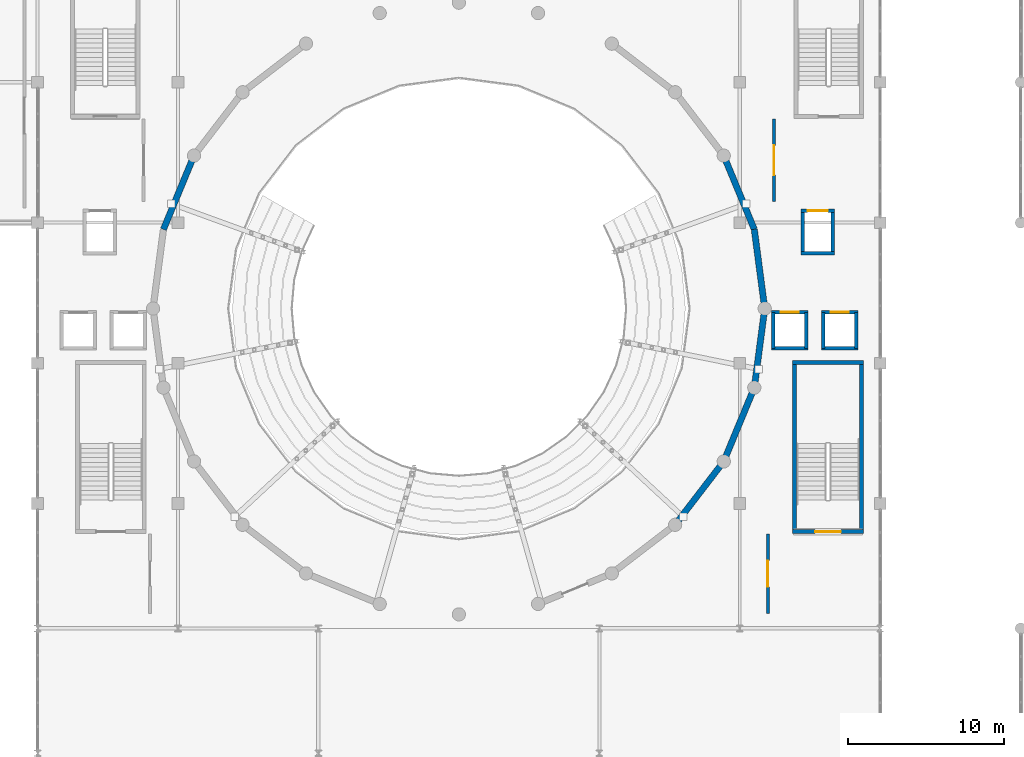
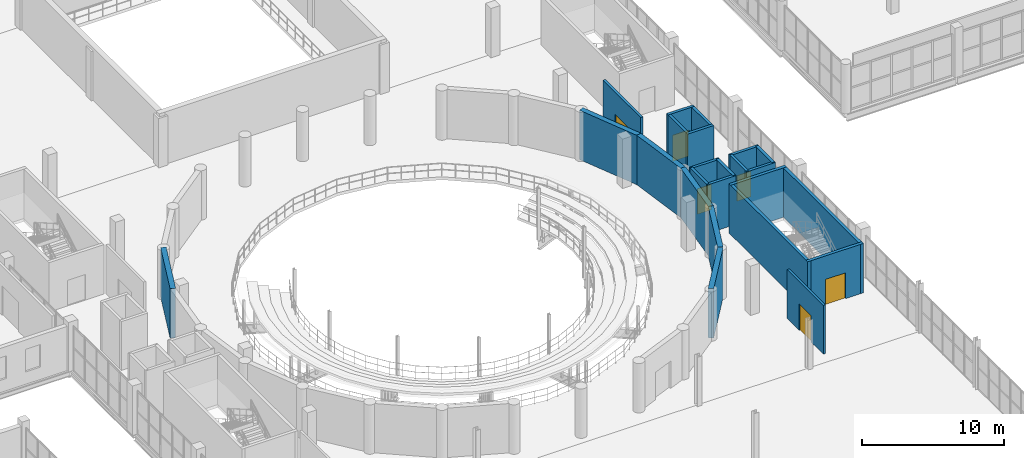
# One storey, part 65 of 85: 24 walls, 6 doors, 6 openings.
"""IFC4 building model written with IfcOpenShell, lengths in metres."""

from ifc_helpers import new_model, si_unit, direction, frame, frame_2d, origin, place, context, subcontext, project, spatial, rectangle, extrude, material, layer, layer_set, type_object, element, fill, save


model = new_model("IFC4")

# Units and contexts
model_context = context("Model", 3, precision=1e-05, world=origin(), true_north=direction((0.0, 1.0)))
body_context = subcontext(model_context, "Body", "Model", "MODEL_VIEW")
ifc_project = project(units=[si_unit("LENGTHUNIT", "METRE"), si_unit("AREAUNIT", "SQUARE_METRE"), si_unit("VOLUMEUNIT", "CUBIC_METRE"), si_unit("PLANEANGLEUNIT", "RADIAN"), si_unit("MASSUNIT", "GRAM", prefix="KILO")], contexts=[model_context])

# Site, building, storey
site_placement = place(None, origin())
site = spatial("IfcSite", under=ifc_project, at=site_placement, CompositionType="ELEMENT")
building_placement = place(site_placement, origin())
building = spatial("IfcBuilding", under=site, at=building_placement, Name="Marnock Terrace Opera House", CompositionType="ELEMENT")
storey_placement = place(building_placement, frame((0.0, 0.0, 10.199951171875)))
storey = spatial("IfcBuildingStorey", under=building, at=storey_placement, Name="L02", CompositionType="ELEMENT", Elevation=10.199951171875)

# Wall, opening, door
ifc_material_1 = material(Name="Rendered acoustic concrete blockwork", Category="masonry")
ifc_layer_1 = layer(ifc_material_1, 0.18505859375)
ifc_layer_set_1 = layer_set([ifc_layer_1], Name="Rendered acoustic concrete blockwork")
wall_type_1 = type_object("IfcWallType", Name="IW-FIRE-185", PredefinedType="PARTITIONING", material=ifc_layer_set_1)
wall_1_placement = place(storey_placement, frame((101.800048828125, 40.949951171875, 0.0), z_axis=(0.0, 0.0, 1.0), x_axis=(0.0, 1.0, 0.0)))
wall_1 = element("IfcWall", 1, at=wall_1_placement, inside=storey, type_object=wall_type_1, Name="L02 C2 fire-rated lift and stair lobby wall", PredefinedType="PARTITIONING", context=body_context, shape_type="SweptSolid", body=[
    extrude(rectangle(XDim=5.10009765625, YDim=0.18505859375, at=frame_2d((2.550048828125, 0.0))), origin(), (0.0, 0.0, 1.0), 4.18994140625),
])
opening_1_placement = place(wall_1_placement, frame((1.7099609375, 0.0, 0.0)))
opening_1 = element("IfcOpeningElement", 2, at=opening_1_placement, cuts=wall_1, Name="Opening FD-C2-L02", PredefinedType="OPENING", context=body_context, shape_type="SweptSolid", body=[
    extrude(rectangle(XDim=1.679931640625, YDim=2.25, at=frame_2d((0.83984375, 1.125))), frame((0.0, 0.1025390625, 0.0), z_axis=(0.0, -1.0, 0.0), x_axis=(1.0, 0.0, 0.0)), (0.0, 0.0, 1.0), 0.205078125),
])
ifc_material_2 = material(Name="Fire-rated acoustic timber-core door assembly", Category="wood")
door_type_1 = type_object("IfcDoorType", Name="DT-LOBBY-1680", OperationType="NOTDEFINED", PredefinedType="DOOR", material=ifc_material_2)
door_1_placement = place(opening_1_placement, origin())
door_1 = element("IfcDoor", 3, at=door_1_placement, inside=storey, type_object=door_type_1, Name="L02 C2 lobby self-closing smoke door", OperationType="SINGLE_SWING_RIGHT", OverallHeight=2.25, OverallWidth=1.679931640625, PredefinedType="DOOR", context=body_context, shape_type="SweptSolid", body=[
    extrude(rectangle(XDim=1.679931640625, YDim=2.25, at=frame_2d((0.83984375, 1.125))), frame((0.0, 0.02490234375, 0.0), z_axis=(0.0, -1.0, 0.0), x_axis=(1.0, 0.0, 0.0)), (0.0, 0.0, 1.0), 0.050048828125),
])
fill(opening_1, door_1)

ifc_layer_2 = layer(ifc_material_1, 0.195068359375)
ifc_layer_set_2 = layer_set([ifc_layer_2], Name="Rendered acoustic concrete blockwork")
wall_type_2 = type_object("IfcWallType", Name="IW-FIRE-195", PredefinedType="PARTITIONING", material=ifc_layer_set_2)
wall_2_placement = place(storey_placement, frame((102.199951171875, 67.35009765625, 0.0), z_axis=(0.0, 0.0, 1.0), x_axis=(0.0, 1.0, 0.0)))
wall_2 = element("IfcWall", 4, at=wall_2_placement, inside=storey, type_object=wall_type_2, Name="L02 C4 fire-rated lift and stair lobby wall", PredefinedType="PARTITIONING", context=body_context, shape_type="SweptSolid", body=[
    extrude(rectangle(XDim=5.2998046875, YDim=0.195068359375, at=frame_2d((2.64990234375, 0.0))), origin(), (0.0, 0.0, 1.0), 4.18994140625),
])
opening_2_placement = place(wall_2_placement, frame((1.699951171875, 0.0, 0.0)))
opening_2 = element("IfcOpeningElement", 5, at=opening_2_placement, cuts=wall_2, Name="Opening FD-C4-L02", PredefinedType="OPENING", context=body_context, shape_type="SweptSolid", body=[
    extrude(rectangle(XDim=1.89990234375, YDim=2.300048828125, at=frame_2d((0.949951171875, 1.14990234375))), frame((0.0, 0.107421875, 0.0), z_axis=(0.0, -1.0, 0.0), x_axis=(1.0, 0.0, 0.0)), (0.0, 0.0, 1.0), 0.215087890625),
])
door_type_2 = type_object("IfcDoorType", Name="DT-LOBBY-1900", OperationType="NOTDEFINED", PredefinedType="DOOR", material=ifc_material_2)
door_2_placement = place(opening_2_placement, origin())
door_2 = element("IfcDoor", 6, at=door_2_placement, inside=storey, type_object=door_type_2, Name="L02 C4 lobby self-closing smoke door", OperationType="SINGLE_SWING_RIGHT", OverallHeight=2.300048828125, OverallWidth=1.89990234375, PredefinedType="DOOR", context=body_context, shape_type="SweptSolid", body=[
    extrude(rectangle(XDim=1.89990234375, YDim=2.300048828125, at=frame_2d((0.949951171875, 1.14990234375))), frame((0.0, 0.02490234375, 0.0), z_axis=(0.0, -1.0, 0.0), x_axis=(1.0, 0.0, 0.0)), (0.0, 0.0, 1.0), 0.050048828125),
])
fill(opening_2, door_2)

ifc_layer_3 = layer(ifc_material_1, 0.22509765625)
ifc_layer_set_3 = layer_set([ifc_layer_3], Name="Rendered acoustic concrete blockwork")
wall_type_3 = type_object("IfcWallType", Name="IW-SHAFT-225", PredefinedType="SOLIDWALL", material=ifc_layer_set_3)
wall_3_placement = place(storey_placement, frame((102.027587890625, 60.260009765625, 0.0), z_axis=(0.0, 0.0, 1.0), x_axis=(1.0, 0.0, 0.0)))
wall_3 = element("IfcWall", 7, at=wall_3_placement, inside=storey, type_object=wall_type_3, Name="L02 Lift PL-03 front shaft wall", PredefinedType="SOLIDWALL", context=body_context, shape_type="SweptSolid", body=[
    extrude(rectangle(XDim=2.344970703125, YDim=0.22509765625, at=frame_2d((1.17236328125, 0.0))), origin(), (0.0, 0.0, 1.0), 4.18994140625),
])
opening_3_placement = place(wall_3_placement, frame((0.597412109375, 0.0, 0.0)))
opening_3 = element("IfcOpeningElement", 8, at=opening_3_placement, cuts=wall_3, Name="Opening LD-PL-03-L02", PredefinedType="OPENING", context=body_context, shape_type="SweptSolid", body=[
    extrude(rectangle(XDim=1.14990234375, YDim=2.199951171875, at=frame_2d((0.574951171875, 1.10009765625))), frame((0.0, 0.12255859375, 0.0), z_axis=(0.0, -1.0, 0.0), x_axis=(1.0, 0.0, 0.0)), (0.0, 0.0, 1.0), 0.2451171875),
])
ifc_material_3 = material(Name="Brushed stainless steel landing door assembly", Category="steel")
door_type_3 = type_object("IfcDoorType", Name="DT-LIFT-1150", OperationType="NOTDEFINED", PredefinedType="DOOR", material=ifc_material_3)
door_3_placement = place(opening_3_placement, origin())
door_3 = element("IfcDoor", 9, at=door_3_placement, inside=storey, type_object=door_type_3, Name="L02 Lift PL-03 sliding landing door", OperationType="DOUBLE_DOOR_SLIDING", OverallHeight=2.199951171875, OverallWidth=1.14990234375, PredefinedType="DOOR", context=body_context, shape_type="SweptSolid", body=[
    extrude(rectangle(XDim=1.14990234375, YDim=2.199951171875, at=frame_2d((0.574951171875, 1.10009765625))), frame((0.0, 0.02490234375, 0.0), z_axis=(0.0, -1.0, 0.0), x_axis=(1.0, 0.0, 0.0)), (0.0, 0.0, 1.0), 0.050048828125),
])
fill(opening_3, door_3)

# Walls
wall_4_placement = place(storey_placement, frame((102.027587890625, 57.93994140625, 0.0), z_axis=(0.0, 0.0, 1.0), x_axis=(1.0, 0.0, 0.0)))
element("IfcWall", 10, at=wall_4_placement, inside=storey, type_object=wall_type_3, Name="L02 Lift PL-03 rear shaft wall", PredefinedType="SOLIDWALL", context=body_context, shape_type="SweptSolid", body=[
    extrude(rectangle(XDim=2.344970703125, YDim=0.22509765625, at=frame_2d((1.17236328125, 0.0))), origin(), (0.0, 0.0, 1.0), 4.18994140625),
])
for number, where, z_axis, x_axis, name in (
    (11, (102.139892578125, 57.93994140625, 0.0), (0.0, 0.0, 1.0), (0.0, 1.0, 0.0), "L02 Lift PL-03 west shaft wall"),
    (12, (104.260009765625, 57.93994140625, 0.0), (0.0, 0.0, 1.0), (0.0, 1.0, 0.0), "L02 Lift PL-03 east shaft wall"),
):
    element("IfcWall", number, at=place(storey_placement, frame(where, z_axis=z_axis, x_axis=x_axis)), inside=storey, type_object=wall_type_3, Name=name, PredefinedType="SOLIDWALL", context=body_context, shape_type="SweptSolid", body=[
        extrude(rectangle(XDim=2.320068359375, YDim=0.22509765625, at=frame_2d((1.16015625, 0.0))), origin(), (0.0, 0.0, 1.0), 4.18994140625),
    ])

# Wall, opening, door
wall_5_placement = place(storey_placement, frame((105.2275390625, 60.260009765625, 0.0), z_axis=(0.0, 0.0, 1.0), x_axis=(1.0, 0.0, 0.0)))
wall_5 = element("IfcWall", 13, at=wall_5_placement, inside=storey, type_object=wall_type_3, Name="L02 Lift PL-04 front shaft wall", PredefinedType="SOLIDWALL", context=body_context, shape_type="SweptSolid", body=[
    extrude(rectangle(XDim=2.344970703125, YDim=0.22509765625, at=frame_2d((1.17236328125, 0.0))), origin(), (0.0, 0.0, 1.0), 4.18994140625),
])
opening_4_placement = place(wall_5_placement, frame((0.597412109375, 0.0, 0.0)))
opening_4 = element("IfcOpeningElement", 14, at=opening_4_placement, cuts=wall_5, Name="Opening LD-PL-04-L02", PredefinedType="OPENING", context=body_context, shape_type="SweptSolid", body=[
    extrude(rectangle(XDim=1.14990234375, YDim=2.199951171875, at=frame_2d((0.574951171875, 1.10009765625))), frame((0.0, 0.12255859375, 0.0), z_axis=(0.0, -1.0, 0.0), x_axis=(1.0, 0.0, 0.0)), (0.0, 0.0, 1.0), 0.2451171875),
])
door_4_placement = place(opening_4_placement, origin())
door_4 = element("IfcDoor", 15, at=door_4_placement, inside=storey, type_object=door_type_3, Name="L02 Lift PL-04 sliding landing door", OperationType="DOUBLE_DOOR_SLIDING", OverallHeight=2.199951171875, OverallWidth=1.14990234375, PredefinedType="DOOR", context=body_context, shape_type="SweptSolid", body=[
    extrude(rectangle(XDim=1.14990234375, YDim=2.199951171875, at=frame_2d((0.574951171875, 1.10009765625))), frame((0.0, 0.02490234375, 0.0), z_axis=(0.0, -1.0, 0.0), x_axis=(1.0, 0.0, 0.0)), (0.0, 0.0, 1.0), 0.050048828125),
])
fill(opening_4, door_4)

# Walls
wall_6_placement = place(storey_placement, frame((105.2275390625, 57.93994140625, 0.0), z_axis=(0.0, 0.0, 1.0), x_axis=(1.0, 0.0, 0.0)))
element("IfcWall", 16, at=wall_6_placement, inside=storey, type_object=wall_type_3, Name="L02 Lift PL-04 rear shaft wall", PredefinedType="SOLIDWALL", context=body_context, shape_type="SweptSolid", body=[
    extrude(rectangle(XDim=2.344970703125, YDim=0.22509765625, at=frame_2d((1.17236328125, 0.0))), origin(), (0.0, 0.0, 1.0), 4.18994140625),
])
for number, where, z_axis, x_axis, name in (
    (17, (105.340087890625, 57.93994140625, 0.0), (0.0, 0.0, 1.0), (0.0, 1.0, 0.0), "L02 Lift PL-04 west shaft wall"),
    (18, (107.4599609375, 57.93994140625, 0.0), (0.0, 0.0, 1.0), (0.0, 1.0, 0.0), "L02 Lift PL-04 east shaft wall"),
):
    element("IfcWall", number, at=place(storey_placement, frame(where, z_axis=z_axis, x_axis=x_axis)), inside=storey, type_object=wall_type_3, Name=name, PredefinedType="SOLIDWALL", context=body_context, shape_type="SweptSolid", body=[
        extrude(rectangle(XDim=2.320068359375, YDim=0.22509765625, at=frame_2d((1.16015625, 0.0))), origin(), (0.0, 0.0, 1.0), 4.18994140625),
    ])

# Wall, opening, door
wall_7_placement = place(storey_placement, frame((103.927490234375, 66.760009765625, 0.0), z_axis=(0.0, 0.0, 1.0), x_axis=(1.0, 0.0, 0.0)))
wall_7 = element("IfcWall", 19, at=wall_7_placement, inside=storey, type_object=wall_type_3, Name="L02 Lift EL-02 front shaft wall", PredefinedType="SOLIDWALL", context=body_context, shape_type="SweptSolid", body=[
    extrude(rectangle(XDim=2.14501953125, YDim=0.22509765625, at=frame_2d((1.072509765625, 0.0))), origin(), (0.0, 0.0, 1.0), 4.18994140625),
])
opening_5_placement = place(wall_7_placement, frame((0.422607421875, 0.0, 0.0)))
opening_5 = element("IfcOpeningElement", 20, at=opening_5_placement, cuts=wall_7, Name="Opening LD-EL-02-L02", PredefinedType="OPENING", context=body_context, shape_type="SweptSolid", body=[
    extrude(rectangle(XDim=1.300048828125, YDim=2.25, at=frame_2d((0.64990234375, 1.125))), frame((0.0, 0.12255859375, 0.0), z_axis=(0.0, -1.0, 0.0), x_axis=(1.0, 0.0, 0.0)), (0.0, 0.0, 1.0), 0.2451171875),
])
door_type_4 = type_object("IfcDoorType", Name="DT-LIFT-1300", OperationType="NOTDEFINED", PredefinedType="DOOR", material=ifc_material_3)
door_5_placement = place(opening_5_placement, origin())
door_5 = element("IfcDoor", 21, at=door_5_placement, inside=storey, type_object=door_type_4, Name="L02 Lift EL-02 sliding landing door", OperationType="DOUBLE_DOOR_SLIDING", OverallHeight=2.25, OverallWidth=1.300048828125, PredefinedType="DOOR", context=body_context, shape_type="SweptSolid", body=[
    extrude(rectangle(XDim=1.300048828125, YDim=2.25, at=frame_2d((0.64990234375, 1.125))), frame((0.0, 0.02490234375, 0.0), z_axis=(0.0, -1.0, 0.0), x_axis=(1.0, 0.0, 0.0)), (0.0, 0.0, 1.0), 0.050048828125),
])
fill(opening_5, door_5)

# Walls
wall_8_placement = place(storey_placement, frame((103.927490234375, 64.0400390625, 0.0), z_axis=(0.0, 0.0, 1.0), x_axis=(1.0, 0.0, 0.0)))
element("IfcWall", 22, at=wall_8_placement, inside=storey, type_object=wall_type_3, Name="L02 Lift EL-02 rear shaft wall", PredefinedType="SOLIDWALL", context=body_context, shape_type="SweptSolid", body=[
    extrude(rectangle(XDim=2.14501953125, YDim=0.22509765625, at=frame_2d((1.072509765625, 0.0))), origin(), (0.0, 0.0, 1.0), 4.18994140625),
])
for number, where, z_axis, x_axis, name in (
    (23, (104.0400390625, 64.0400390625, 0.0), (0.0, 0.0, 1.0), (0.0, 1.0, 0.0), "L02 Lift EL-02 west shaft wall"),
    (24, (105.9599609375, 64.0400390625, 0.0), (0.0, 0.0, 1.0), (0.0, 1.0, 0.0), "L02 Lift EL-02 east shaft wall"),
):
    element("IfcWall", number, at=place(storey_placement, frame(where, z_axis=z_axis, x_axis=x_axis)), inside=storey, type_object=wall_type_3, Name=name, PredefinedType="SOLIDWALL", context=body_context, shape_type="SweptSolid", body=[
        extrude(rectangle(XDim=2.719970703125, YDim=0.22509765625, at=frame_2d((1.35986328125, 0.0))), origin(), (0.0, 0.0, 1.0), 4.18994140625),
    ])

# Wall, opening, door
ifc_material_4 = material(Name="Concrete N40 (f'c = 40 MPa)", Category="concrete")
ifc_layer_4 = layer(ifc_material_4, 0.25)
ifc_layer_set_4 = layer_set([ifc_layer_4], Name="Concrete N40 (f'c = 40 MPa)")
wall_type_4 = type_object("IfcWallType", Name="SW-CORE-250", PredefinedType="SHEAR", material=ifc_layer_set_4)
wall_9_placement = place(storey_placement, frame((103.39501953125, 46.199951171875, 0.0), z_axis=(0.0, 0.0, 1.0), x_axis=(1.0, 0.0, 0.0)))
wall_9 = element("IfcWall", 25, at=wall_9_placement, inside=storey, type_object=wall_type_4, Name="L02 Core C2 FRL 120/120/120 shear wall S", PredefinedType="SHEAR", context=body_context, shape_type="SweptSolid", body=[
    extrude(rectangle(XDim=4.530029296875, YDim=0.25, at=frame_2d((2.26513671875, 0.0))), origin(), (0.0, 0.0, 1.0), 4.239990234375),
])
opening_6_placement = place(wall_9_placement, frame((1.43994140625, 0.0, 0.0)))
opening_6 = element("IfcOpeningElement", 26, at=opening_6_placement, cuts=wall_9, Name="Opening SD-C2-L02", PredefinedType="OPENING", context=body_context, shape_type="SweptSolid", body=[
    extrude(rectangle(XDim=1.64990234375, YDim=2.219970703125, at=frame_2d((0.824951171875, 1.10986328125))), frame((0.0, 0.135009765625, 0.0), z_axis=(0.0, -1.0, 0.0), x_axis=(1.0, 0.0, 0.0)), (0.0, 0.0, 1.0), 0.27001953125),
])
door_type_5 = type_object("IfcDoorType", Name="DT-STAIR-1650", OperationType="NOTDEFINED", PredefinedType="DOOR", material=ifc_material_2)
door_6_placement = place(opening_6_placement, origin())
door_6 = element("IfcDoor", 27, at=door_6_placement, inside=storey, type_object=door_type_5, Name="L02 Stair ST-02 fire-isolated exit door", OperationType="SINGLE_SWING_LEFT", OverallHeight=2.219970703125, OverallWidth=1.64990234375, PredefinedType="DOOR", context=body_context, shape_type="SweptSolid", body=[
    extrude(rectangle(XDim=1.64990234375, YDim=2.219970703125, at=frame_2d((0.824951171875, 1.10986328125))), frame((0.0, 0.02490234375, 0.0), z_axis=(0.0, -1.0, 0.0), x_axis=(1.0, 0.0, 0.0)), (0.0, 0.0, 1.0), 0.050048828125),
])
fill(opening_6, door_6)

# Walls
wall_10_placement = place(storey_placement, frame((103.39501953125, 57.0400390625, 0.0), z_axis=(0.0, 0.0, 1.0), x_axis=(1.0, 0.0, 0.0)))
element("IfcWall", 28, at=wall_10_placement, inside=storey, type_object=wall_type_4, Name="L02 Core C2 FRL 120/120/120 shear wall N", PredefinedType="SHEAR", context=body_context, shape_type="SweptSolid", body=[
    extrude(rectangle(XDim=4.530029296875, YDim=0.25, at=frame_2d((2.26513671875, 0.0))), origin(), (0.0, 0.0, 1.0), 4.239990234375),
])
for number, where, z_axis, x_axis, name in (
    (29, (103.52001953125, 46.074951171875, 0.0), (0.0, 0.0, 1.0), (0.0, 1.0, 0.0), "L02 Core C2 FRL 120/120/120 shear wall W"),
    (30, (107.800048828125, 46.074951171875, 0.0), (0.0, 0.0, 1.0), (0.0, 1.0, 0.0), "L02 Core C2 FRL 120/120/120 shear wall E"),
):
    element("IfcWall", number, at=place(storey_placement, frame(where, z_axis=z_axis, x_axis=x_axis)), inside=storey, type_object=wall_type_4, Name=name, PredefinedType="SHEAR", context=body_context, shape_type="SweptSolid", body=[
        extrude(rectangle(XDim=11.090087890625, YDim=0.25, at=frame_2d((5.544921875, 0.0))), origin(), (0.0, 0.0, 1.0), 4.239990234375),
    ])
ifc_material_5 = material(Name="Concrete N50 (f'c = 50 MPa)", Category="concrete")
ifc_layer_5 = layer(ifc_material_5, 0.39990234375)
ifc_layer_set_5 = layer_set([ifc_layer_5], Name="Concrete N50 (f'c = 50 MPa)")
wall_type_5 = type_object("IfcWallType", Name="SW-DRUM-400", PredefinedType="SHEAR", material=ifc_layer_set_5)
wall_11_placement = place(storey_placement, frame((101.60009765625, 60.5, 0.0), z_axis=(0.0, 0.0, 1.0), x_axis=(-0.130591512704, 0.99143625958, 0.0)))
element("IfcWall", 31, at=wall_11_placement, inside=storey, type_object=wall_type_5, Name="L02 cylindrical auditorium drum shear wall 1", PredefinedType="SHEAR", context=body_context, shape_type="SweptSolid", body=[
    extrude(rectangle(XDim=5.11669921875, YDim=0.39990234375, at=frame_2d((2.558349609375, 0.0))), origin(), (0.0, 0.0, 1.0), 4.239990234375),
])
for number, where, z_axis, x_axis, name in (
    (32, (100.931884765625, 65.572998046875, 0.0), (0.0, 0.0, 1.0), (-0.382642581018, 0.923896452635, 0.0), "L02 cylindrical auditorium drum shear wall 2"),
    (33, (65.02587890625, 70.300048828125, 0.0), (0.0, 0.0, 1.0), (-0.382642581018, -0.923896452635, 0.0), "L02 cylindrical auditorium drum shear wall 11"),
    (34, (95.85888671875, 46.64111328125, 0.0), (0.0, 0.0, 1.0), (0.608857194409, 0.793279847731, 0.0), "L02 cylindrical auditorium drum shear wall 22"),
    (35, (98.97412109375, 50.699951171875, 0.0), (0.0, 0.0, 1.0), (0.382642581018, 0.923896452635, 0.0), "L02 cylindrical auditorium drum shear wall 23"),
):
    element("IfcWall", number, at=place(storey_placement, frame(where, z_axis=z_axis, x_axis=x_axis)), inside=storey, type_object=wall_type_5, Name=name, PredefinedType="SHEAR", context=body_context, shape_type="SweptSolid", body=[
        extrude(rectangle(XDim=5.116455078125, YDim=0.39990234375, at=frame_2d((2.55810546875, 0.0))), origin(), (0.0, 0.0, 1.0), 4.239990234375),
    ])
wall_12_placement = place(storey_placement, frame((100.931884765625, 55.427001953125, 0.0), z_axis=(0.0, 0.0, 1.0), x_axis=(0.130591512704, 0.99143625958, 0.0)))
element("IfcWall", 36, at=wall_12_placement, inside=storey, type_object=wall_type_5, Name="L02 cylindrical auditorium drum shear wall 24", PredefinedType="SHEAR", context=body_context, shape_type="SweptSolid", body=[
    extrude(rectangle(XDim=5.11669921875, YDim=0.39990234375, at=frame_2d((2.558349609375, 0.0))), origin(), (0.0, 0.0, 1.0), 4.239990234375),
])

save(model, "model.ifc")
